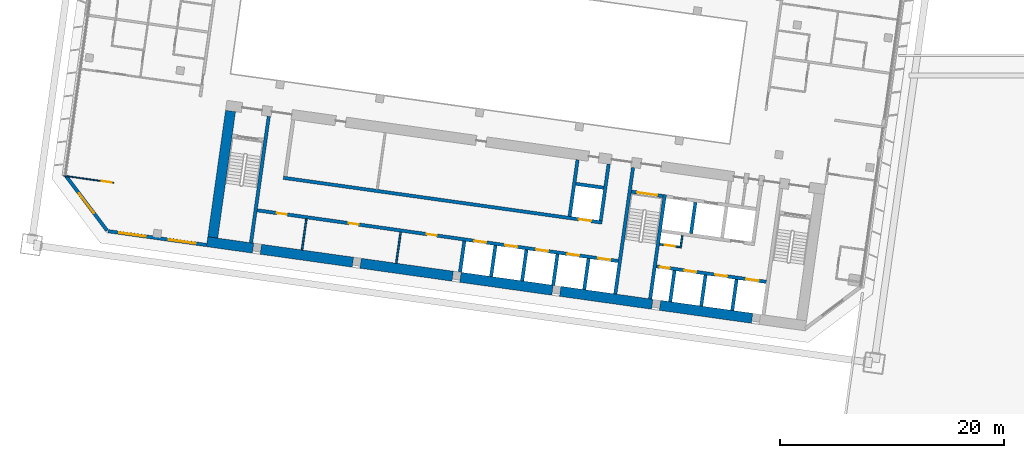
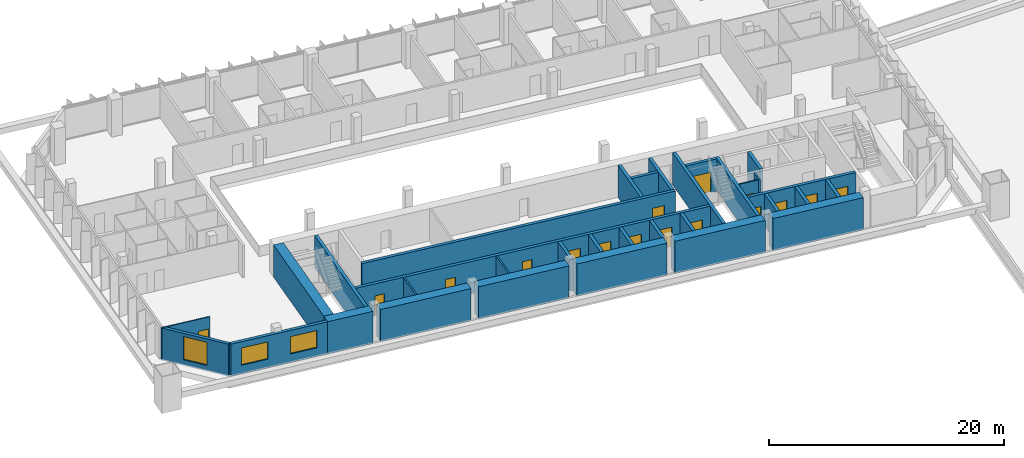
# One storey, part 25 of 46: 33 walls, 16 doors, 3 windows, 19 openings.
"""IFC4 building model written with IfcOpenShell, lengths in metres."""

from ifc_helpers import new_model, si_unit, direction, frame, frame_2d, origin, place, context, subcontext, project, spatial, rectangle, extrude, material, layer, layer_set, type_object, element, fill, save


model = new_model("IFC4")

# Units and contexts
model_context = context("Model", 3, precision=1e-05, world=origin(), true_north=direction((0.0, 1.0)))
body_context = subcontext(model_context, "Body", "Model", "MODEL_VIEW")
ifc_project = project(units=[si_unit("LENGTHUNIT", "METRE"), si_unit("AREAUNIT", "SQUARE_METRE"), si_unit("VOLUMEUNIT", "CUBIC_METRE"), si_unit("PLANEANGLEUNIT", "RADIAN"), si_unit("MASSUNIT", "GRAM", prefix="KILO")], contexts=[model_context])

# Site, building, storey
site_placement = place(None, origin())
site = spatial("IfcSite", under=ifc_project, at=site_placement, CompositionType="ELEMENT")
building_placement = place(site_placement, origin())
building = spatial("IfcBuilding", under=site, at=building_placement, Name="Mirante Cascada Hotel Towers", CompositionType="ELEMENT")
storey_placement = place(building_placement, frame((0.0, 0.0, 39.5)))
storey = spatial("IfcBuildingStorey", under=building, at=storey_placement, Name="L06", CompositionType="ELEMENT", Elevation=39.5)

# Wall
ifc_material_1 = material(Name="Masonry block", Category="masonry")
ifc_layer_1 = layer(ifc_material_1, 0.15)
ifc_layer_set_1 = layer_set([ifc_layer_1], Name="Core room partition 150 block EI 30")
wall_type_1 = type_object("IfcWallType", Name="Core room partition 150 block EI 30", PredefinedType="PARTITIONING", material=ifc_layer_set_1)
wall_1_placement = place(storey_placement, frame((-48.2295, -12.793, 0.0), z_axis=(0.0, 0.0, 1.0), x_axis=(0.1391935, 0.9902652, 0.0)))
element("IfcWall", 1, at=wall_1_placement, inside=storey, type_object=wall_type_1, Name="Core wall partition T1 L06 2", PredefinedType="PARTITIONING", context=body_context, shape_type="SweptSolid", body=[
    extrude(rectangle(XDim=1.1251, YDim=0.15, at=frame_2d((0.5626, 0.0))), origin(), (0.0, 0.0, 1.0), 3.35),
])

# Wall, opening, door
wall_2_placement = place(storey_placement, frame((-48.2933, -12.7083, 0.0), z_axis=(0.0, 0.0, 1.0), x_axis=(-0.990268, 0.1391734, 0.0)))
wall_2 = element("IfcWall", 2, at=wall_2_placement, inside=storey, type_object=wall_type_1, Name="Core wall partition T1 L06 3", PredefinedType="PARTITIONING", context=body_context, shape_type="SweptSolid", body=[
    extrude(rectangle(XDim=1.8251, YDim=0.15, at=frame_2d((0.9126, 0.0))), origin(), (0.0, 0.0, 1.0), 3.35),
])
opening_1_placement = place(wall_2_placement, frame((0.4625, 0.0, 0.0)))
opening_1 = element("IfcOpeningElement", 3, at=opening_1_placement, cuts=wall_2, Name="Opening D1-06-C23", PredefinedType="OPENING", context=body_context, shape_type="SweptSolid", body=[
    extrude(rectangle(XDim=0.9, YDim=2.1, at=frame_2d((0.45, 1.05))), frame((0.0, 0.075, 0.0), z_axis=(0.0, -1.0, 0.0), x_axis=(1.0, 0.0, 0.0)), (0.0, 0.0, 1.0), 0.15),
])
ifc_material_2 = material(Name="Hollow metal fire door leaf")
door_type_1 = type_object("IfcDoorType", Name="Fire door 900x2100 FD60", OperationType="NOTDEFINED", PredefinedType="DOOR", material=ifc_material_2)
door_1_placement = place(opening_1_placement, origin())
door_1 = element("IfcDoor", 4, at=door_1_placement, inside=storey, type_object=door_type_1, Name="Riser door T1 L06 23", OperationType="SINGLE_SWING_LEFT", OverallHeight=2.1, OverallWidth=0.9, PredefinedType="DOOR", context=body_context, shape_type="SweptSolid", body=[
    extrude(rectangle(XDim=0.9, YDim=2.1, at=frame_2d((0.45, 1.05))), frame((0.0, 0.025, 0.0), z_axis=(0.0, -1.0, 0.0), x_axis=(1.0, 0.0, 0.0)), (0.0, 0.0, 1.0), 0.05),
])
fill(opening_1, door_1)

# Walls
wall_3_placement = place(storey_placement, frame((-73.6152, -14.1482, 0.0), z_axis=(0.0, 0.0, 1.0), x_axis=(0.139176, 0.9902677, 0.0)))
element("IfcWall", 5, at=wall_3_placement, inside=storey, type_object=wall_type_1, Name="Core wall partition T1 L06 5", PredefinedType="PARTITIONING", context=body_context, shape_type="SweptSolid", body=[
    extrude(rectangle(XDim=2.8001, YDim=0.15, at=frame_2d((1.4, 0.0))), origin(), (0.0, 0.0, 1.0), 3.35),
])
wall_4_placement = place(storey_placement, frame((-82.0324, -12.9652, 0.0), z_axis=(0.0, 0.0, 1.0), x_axis=(0.139141, 0.9902726, 0.0)))
element("IfcWall", 6, at=wall_4_placement, inside=storey, type_object=wall_type_1, Name="Core wall partition T1 L06 6", PredefinedType="PARTITIONING", context=body_context, shape_type="SweptSolid", body=[
    extrude(rectangle(XDim=2.8, YDim=0.15, at=frame_2d((1.4, 0.0))), origin(), (0.0, 0.0, 1.0), 3.35),
])

# Wall, opening, door
ifc_material_3 = material(Name="Plasterboard on metal studs")
ifc_layer_2 = layer(ifc_material_3, 0.1)
ifc_layer_set_2 = layer_set([ifc_layer_2], Name="Partition 100")
wall_type_2 = type_object("IfcWallType", Name="Partition 100", PredefinedType="PARTITIONING", material=ifc_layer_set_2)
wall_5_placement = place(storey_placement, frame((-98.8611, -6.9647, 0.0), z_axis=(0.0, 0.0, 1.0), x_axis=(-0.9902674, 0.1391779, 0.0)))
wall_5 = element("IfcWall", 7, at=wall_5_placement, inside=storey, type_object=wall_type_2, Name="Wall 1-L06-01", PredefinedType="PARTITIONING", context=body_context, shape_type="SweptSolid", body=[
    extrude(rectangle(XDim=4.5, YDim=0.1, at=frame_2d((2.25, 0.0))), origin(), (0.0, 0.0, 1.0), 3.35),
])
opening_2_placement = place(wall_5_placement, frame((0.15, 0.0, 0.0)))
opening_2 = element("IfcOpeningElement", 8, at=opening_2_placement, cuts=wall_5, Name="Opening D1-L06-01", PredefinedType="OPENING", context=body_context, shape_type="SweptSolid", body=[
    extrude(rectangle(XDim=0.9, YDim=2.1, at=frame_2d((0.45, 1.05))), frame((0.0, 0.05, 0.0), z_axis=(0.0, -1.0, 0.0), x_axis=(1.0, 0.0, 0.0)), (0.0, 0.0, 1.0), 0.1),
])
ifc_material_4 = material(Name="Timber door leaf", Category="wood")
door_type_2 = type_object("IfcDoorType", Name="Room door DG3 900x2100", OperationType="SINGLE_SWING_LEFT", PredefinedType="DOOR", material=ifc_material_4)
door_2_placement = place(opening_2_placement, frame((0.9, 0.0, 0.0), z_axis=(0.0, 0.0, 1.0), x_axis=(-1.0, 0.0, 0.0)))
door_2 = element("IfcDoor", 9, at=door_2_placement, inside=storey, type_object=door_type_2, Name="Door D1-L06-01", OperationType="SINGLE_SWING_RIGHT", OverallHeight=2.1, OverallWidth=0.9, PredefinedType="DOOR", context=body_context, shape_type="SweptSolid", body=[
    extrude(rectangle(XDim=0.9, YDim=2.1, at=frame_2d((0.45, 1.05))), frame((0.0, 0.025, 0.0), z_axis=(0.0, -1.0, 0.0), x_axis=(1.0, 0.0, 0.0)), (0.0, 0.0, 1.0), 0.05),
])
fill(opening_2, door_2)

# Wall, openings, windows
ifc_material_5 = material(Name="Precast concrete C40/50", Category="concrete")
ifc_layer_3 = layer(ifc_material_5, 0.3)
ifc_layer_set_3 = layer_set([ifc_layer_3], Name="Precast concrete C40/50 cladding wall 300")
wall_type_3 = type_object("IfcWallType", Name="Precast concrete C40/50 cladding wall 300", PredefinedType="STANDARD", material=ifc_layer_set_3)
wall_6_placement = place(storey_placement, frame((-90.5541, -12.5249, 0.0), z_axis=(0.0, 0.0, 1.0), x_axis=(-0.9902678, 0.1391749, 0.0)))
wall_6 = element("IfcWall", 10, at=wall_6_placement, inside=storey, type_object=wall_type_3, Name="Rear cladding wall T1 L06 1", PredefinedType="STANDARD", context=body_context, shape_type="SweptSolid", body=[
    extrude(rectangle(XDim=8.8759, YDim=0.3, at=frame_2d((4.438, 0.0))), origin(), (0.0, 0.0, 1.0), 3.35),
])
opening_3_placement = place(wall_6_placement, frame((1.0012, 0.0, 0.9)))
opening_3 = element("IfcOpeningElement", 11, at=opening_3_placement, cuts=wall_6, Name="Opening W1-06-01", PredefinedType="OPENING", context=body_context, shape_type="SweptSolid", body=[
    extrude(rectangle(XDim=2.4, YDim=1.8, at=frame_2d((1.2, 0.9))), frame((0.0, 0.15, 0.0), z_axis=(0.0, -1.0, 0.0), x_axis=(1.0, 0.0, 0.0)), (0.0, 0.0, 1.0), 0.3),
])
opening_4_placement = place(wall_6_placement, frame((5.4923, 0.0, 0.9)))
opening_4 = element("IfcOpeningElement", 12, at=opening_4_placement, cuts=wall_6, Name="Opening W1-06-02", PredefinedType="OPENING", context=body_context, shape_type="SweptSolid", body=[
    extrude(rectangle(XDim=2.4, YDim=1.8, at=frame_2d((1.2, 0.9))), frame((0.0, 0.15, 0.0), z_axis=(0.0, -1.0, 0.0), x_axis=(1.0, 0.0, 0.0)), (0.0, 0.0, 1.0), 0.3),
])
ifc_material_6 = material(Name="Aluminium frame with clear double glazing", Category="aluminium")
window_type_1 = type_object("IfcWindowType", Name="Punched window 2400x1800", PartitioningType="DOUBLE_PANEL_VERTICAL", PredefinedType="WINDOW", material=ifc_material_6)
window_1_placement = place(opening_3_placement, origin())
window_1 = element("IfcWindow", 13, at=window_1_placement, inside=storey, type_object=window_type_1, Name="Window W1-06-01", OverallHeight=1.8, OverallWidth=2.4, PartitioningType="SINGLE_PANEL", PredefinedType="WINDOW", context=body_context, shape_type="SweptSolid", body=[
    extrude(rectangle(XDim=2.4, YDim=1.8, at=frame_2d((1.2, 0.9))), frame((0.0, 0.03, 0.0), z_axis=(0.0, -1.0, 0.0), x_axis=(1.0, 0.0, 0.0)), (0.0, 0.0, 1.0), 0.06),
])
fill(opening_3, window_1)
window_2_placement = place(opening_4_placement, origin())
window_2 = element("IfcWindow", 14, at=window_2_placement, inside=storey, type_object=window_type_1, Name="Window W1-06-02", OverallHeight=1.8, OverallWidth=2.4, PartitioningType="SINGLE_PANEL", PredefinedType="WINDOW", context=body_context, shape_type="SweptSolid", body=[
    extrude(rectangle(XDim=2.4, YDim=1.8, at=frame_2d((1.2, 0.9))), frame((0.0, 0.03, 0.0), z_axis=(0.0, -1.0, 0.0), x_axis=(1.0, 0.0, 0.0)), (0.0, 0.0, 1.0), 0.06),
])
fill(opening_4, window_2)

# Wall, opening, window
wall_7_placement = place(storey_placement, frame((-99.4423, -11.2315, 0.0), z_axis=(0.0, 0.0, 1.0), x_axis=(-0.6018141, 0.7986362, 0.0)))
wall_7 = element("IfcWall", 15, at=wall_7_placement, inside=storey, type_object=wall_type_3, Name="Corner cladding wall T1 L06 rear outer", PredefinedType="STANDARD", context=body_context, shape_type="SweptSolid", body=[
    extrude(rectangle(XDim=6.1157, YDim=0.3, at=frame_2d((3.0578, 0.0))), origin(), (0.0, 0.0, 1.0), 3.35),
])
opening_5_placement = place(wall_7_placement, frame((1.9578, 0.0, 0.6)))
opening_5 = element("IfcOpeningElement", 16, at=opening_5_placement, cuts=wall_7, Name="Opening W1-06-03", PredefinedType="OPENING", context=body_context, shape_type="SweptSolid", body=[
    extrude(rectangle(XDim=2.2, YDim=2.4, at=frame_2d((1.1, 1.2))), frame((0.0, 0.15, 0.0), z_axis=(0.0, -1.0, 0.0), x_axis=(1.0, 0.0, 0.0)), (0.0, 0.0, 1.0), 0.3),
])
ifc_material_7 = material(Name="Aluminium frame with clear double glazing", Category="aluminium")
window_type_2 = type_object("IfcWindowType", Name="Corner suite window 2200x2400", PartitioningType="DOUBLE_PANEL_VERTICAL", PredefinedType="WINDOW", material=ifc_material_7)
window_3_placement = place(opening_5_placement, origin())
window_3 = element("IfcWindow", 17, at=window_3_placement, inside=storey, type_object=window_type_2, Name="Window W1-06-03", OverallHeight=2.4, OverallWidth=2.2, PartitioningType="SINGLE_PANEL", PredefinedType="WINDOW", context=body_context, shape_type="SweptSolid", body=[
    extrude(rectangle(XDim=2.2, YDim=2.4, at=frame_2d((1.1, 1.2))), frame((0.0, 0.03, 0.0), z_axis=(0.0, -1.0, 0.0), x_axis=(1.0, 0.0, 0.0)), (0.0, 0.0, 1.0), 0.06),
])
fill(opening_5, window_3)

# Walls
ifc_material_8 = material(Name="Concrete C50/60", Category="concrete")
ifc_layer_4 = layer(ifc_material_8, 0.3)
ifc_layer_set_4 = layer_set([ifc_layer_4], Name="RC core wall 300 C50/60")
wall_type_4 = type_object("IfcWallType", Name="RC core wall 300 C50/60", PredefinedType="SHEAR", material=ifc_layer_set_4)
wall_8_placement = place(storey_placement, frame((-50.938, -17.3352, 0.0), z_axis=(0.0, 0.0, 1.0), x_axis=(0.1391706, 0.9902684, 0.0)))
element("IfcWall", 18, at=wall_8_placement, inside=storey, type_object=wall_type_4, Name="Core wall T1:L06:6", PredefinedType="SHEAR", context=body_context, shape_type="SweptSolid", body=[
    extrude(rectangle(XDim=9.4, YDim=0.3, at=frame_2d((4.7, 0.0))), origin(), (0.0, 0.0, 1.0), 3.35),
])
wall_9_placement = place(storey_placement, frame((-54.0574, -16.8968, 0.0), z_axis=(0.0, 0.0, 1.0), x_axis=(0.1391761, 0.9902677, 0.0)))
element("IfcWall", 19, at=wall_9_placement, inside=storey, type_object=wall_type_4, Name="Core wall T1:L06:7", PredefinedType="SHEAR", context=body_context, shape_type="SweptSolid", body=[
    extrude(rectangle(XDim=11.3999, YDim=0.3, at=frame_2d((5.7, 0.0))), origin(), (0.0, 0.0, 1.0), 3.35),
])
wall_10_placement = place(storey_placement, frame((-86.5877, -12.325, 0.0), z_axis=(0.0, 0.0, 1.0), x_axis=(0.1391749, 0.9902678, 0.0)))
element("IfcWall", 20, at=wall_10_placement, inside=storey, type_object=wall_type_4, Name="Core wall T1:L06:8", PredefinedType="SHEAR", context=body_context, shape_type="SweptSolid", body=[
    extrude(rectangle(XDim=11.4, YDim=0.3, at=frame_2d((5.7, 0.0))), origin(), (0.0, 0.0, 1.0), 3.35),
])

# Wall, opening, door
wall_11_placement = place(storey_placement, frame((-49.7992, -8.1544, 0.0), z_axis=(0.0, 0.0, 1.0), x_axis=(-0.9902656, 0.1391909, 0.0)))
wall_11 = element("IfcWall", 21, at=wall_11_placement, inside=storey, type_object=wall_type_4, Name="Core wall T1:L06:10", PredefinedType="SHEAR", context=body_context, shape_type="SweptSolid", body=[
    extrude(rectangle(XDim=2.85, YDim=0.3, at=frame_2d((1.425, 0.0))), origin(), (0.0, 0.0, 1.0), 3.35),
])
opening_6_placement = place(wall_11_placement, frame((0.525, 0.0, 0.0)))
opening_6 = element("IfcOpeningElement", 22, at=opening_6_placement, cuts=wall_11, Name="Opening D1-06-C15", PredefinedType="OPENING", context=body_context, shape_type="SweptSolid", body=[
    extrude(rectangle(XDim=1.8, YDim=2.1, at=frame_2d((0.9, 1.05))), frame((0.0, 0.15, 0.0), z_axis=(0.0, -1.0, 0.0), x_axis=(1.0, 0.0, 0.0)), (0.0, 0.0, 1.0), 0.3),
])
ifc_material_9 = material(Name="Hollow metal fire door leaf")
door_type_3 = type_object("IfcDoorType", Name="Double fire door 1800x2100 FD60", OperationType="DOUBLE_DOOR_SINGLE_SWING", PredefinedType="DOOR", material=ifc_material_9)
door_3_placement = place(opening_6_placement, origin())
door_3 = element("IfcDoor", 23, at=door_3_placement, inside=storey, type_object=door_type_3, Name="Stair door T1 L06 15", OperationType="DOUBLE_DOOR_SINGLE_SWING", OverallHeight=2.1, OverallWidth=1.8, PredefinedType="DOOR", context=body_context, shape_type="SweptSolid", body=[
    extrude(rectangle(XDim=0.895, YDim=2.1, at=frame_2d((0.4475, 1.05))), frame((0.0, 0.025, 0.0), z_axis=(0.0, -1.0, 0.0), x_axis=(1.0, 0.0, 0.0)), (0.0, 0.0, 1.0), 0.05),
    extrude(rectangle(XDim=0.895, YDim=2.1, at=frame_2d((1.3525, 1.05))), frame((0.0, 0.025, 0.0), z_axis=(0.0, -1.0, 0.0), x_axis=(1.0, 0.0, 0.0)), (0.0, 0.0, 1.0), 0.05),
])
fill(opening_6, door_3)

# Wall, openings, doors
wall_12_placement = place(storey_placement, frame((-40.5753, -15.8126, 0.0), z_axis=(0.0, 0.0, 1.0), x_axis=(-0.9902682, 0.1391725, 0.0)))
wall_12 = element("IfcWall", 24, at=wall_12_placement, inside=storey, type_object=wall_type_4, Name="Core wall T1:L06:12", PredefinedType="SHEAR", context=body_context, shape_type="SweptSolid", body=[
    extrude(rectangle(XDim=9.8999, YDim=0.3, at=frame_2d((4.95, 0.0))), origin(), (0.0, 0.0, 1.0), 3.35),
])
opening_7_placement = place(wall_12_placement, frame((0.7, 0.0, 0.0)))
opening_7 = element("IfcOpeningElement", 25, at=opening_7_placement, cuts=wall_12, Name="Opening LD", PredefinedType="OPENING", context=body_context, shape_type="SweptSolid", body=[
    extrude(rectangle(XDim=1.1, YDim=2.1, at=frame_2d((0.55, 1.05))), frame((0.0, 0.15, 0.0), z_axis=(0.0, -1.0, 0.0), x_axis=(1.0, 0.0, 0.0)), (0.0, 0.0, 1.0), 0.3),
])
opening_8_placement = place(wall_12_placement, frame((3.5, 0.0, 0.0)))
opening_8 = element("IfcOpeningElement", 26, at=opening_8_placement, cuts=wall_12, Name="Opening LD", PredefinedType="OPENING", context=body_context, shape_type="SweptSolid", body=[
    extrude(rectangle(XDim=1.1, YDim=2.1, at=frame_2d((0.55, 1.05))), frame((0.0, 0.15, 0.0), z_axis=(0.0, -1.0, 0.0), x_axis=(1.0, 0.0, 0.0)), (0.0, 0.0, 1.0), 0.3),
])
opening_9_placement = place(wall_12_placement, frame((6.3, 0.0, 0.0)))
opening_9 = element("IfcOpeningElement", 27, at=opening_9_placement, cuts=wall_12, Name="Opening LD", PredefinedType="OPENING", context=body_context, shape_type="SweptSolid", body=[
    extrude(rectangle(XDim=1.1, YDim=2.1, at=frame_2d((0.55, 1.05))), frame((0.0, 0.15, 0.0), z_axis=(0.0, -1.0, 0.0), x_axis=(1.0, 0.0, 0.0)), (0.0, 0.0, 1.0), 0.3),
])
opening_10_placement = place(wall_12_placement, frame((8.7, 0.0, 0.0)))
opening_10 = element("IfcOpeningElement", 28, at=opening_10_placement, cuts=wall_12, Name="Opening D1-06-C22", PredefinedType="OPENING", context=body_context, shape_type="SweptSolid", body=[
    extrude(rectangle(XDim=0.9, YDim=2.1, at=frame_2d((0.45, 1.05))), frame((0.0, 0.15, 0.0), z_axis=(0.0, -1.0, 0.0), x_axis=(1.0, 0.0, 0.0)), (0.0, 0.0, 1.0), 0.3),
])
door_4_placement = place(opening_10_placement, origin())
door_4 = element("IfcDoor", 29, at=door_4_placement, inside=storey, type_object=door_type_1, Name="Riser door T1 L06 22", OperationType="SINGLE_SWING_LEFT", OverallHeight=2.1, OverallWidth=0.9, PredefinedType="DOOR", context=body_context, shape_type="SweptSolid", body=[
    extrude(rectangle(XDim=0.9, YDim=2.1, at=frame_2d((0.45, 1.05))), frame((0.0, 0.025, 0.0), z_axis=(0.0, -1.0, 0.0), x_axis=(1.0, 0.0, 0.0)), (0.0, 0.0, 1.0), 0.05),
])
fill(opening_10, door_4)
ifc_material_10 = material(Name="Stainless steel", Category="steel")
door_type_4 = type_object("IfcDoorType", Name="Lift landing door 1100x2100 EI 120", OperationType="DOUBLE_DOOR_SLIDING", PredefinedType="DOOR", material=ifc_material_10)
door_5_placement = place(opening_7_placement, origin())
door_5 = element("IfcDoor", 30, at=door_5_placement, inside=storey, type_object=door_type_4, Name="Lift landing door HR1-1 L06", OperationType="DOUBLE_DOOR_SLIDING", OverallHeight=2.1, OverallWidth=1.1, PredefinedType="DOOR", context=body_context, shape_type="SweptSolid", body=[
    extrude(rectangle(XDim=0.545, YDim=2.1, at=frame_2d((0.2725, 1.05))), frame((0.0, 0.025, 0.0), z_axis=(0.0, -1.0, 0.0), x_axis=(1.0, 0.0, 0.0)), (0.0, 0.0, 1.0), 0.05),
    extrude(rectangle(XDim=0.545, YDim=2.1, at=frame_2d((0.8275, 1.05))), frame((0.0, 0.025, 0.0), z_axis=(0.0, -1.0, 0.0), x_axis=(1.0, 0.0, 0.0)), (0.0, 0.0, 1.0), 0.05),
])
fill(opening_7, door_5)
door_6_placement = place(opening_8_placement, origin())
door_6 = element("IfcDoor", 31, at=door_6_placement, inside=storey, type_object=door_type_4, Name="Lift landing door HR1-2 L06", OperationType="DOUBLE_DOOR_SLIDING", OverallHeight=2.1, OverallWidth=1.1, PredefinedType="DOOR", context=body_context, shape_type="SweptSolid", body=[
    extrude(rectangle(XDim=0.545, YDim=2.1, at=frame_2d((0.2725, 1.05))), frame((0.0, 0.025, 0.0), z_axis=(0.0, -1.0, 0.0), x_axis=(1.0, 0.0, 0.0)), (0.0, 0.0, 1.0), 0.05),
    extrude(rectangle(XDim=0.545, YDim=2.1, at=frame_2d((0.8275, 1.05))), frame((0.0, 0.025, 0.0), z_axis=(0.0, -1.0, 0.0), x_axis=(1.0, 0.0, 0.0)), (0.0, 0.0, 1.0), 0.05),
])
fill(opening_8, door_6)
door_7_placement = place(opening_9_placement, origin())
door_7 = element("IfcDoor", 32, at=door_7_placement, inside=storey, type_object=door_type_4, Name="Lift landing door HR1-3 L06", OperationType="DOUBLE_DOOR_SLIDING", OverallHeight=2.1, OverallWidth=1.1, PredefinedType="DOOR", context=body_context, shape_type="SweptSolid", body=[
    extrude(rectangle(XDim=0.545, YDim=2.1, at=frame_2d((0.2725, 1.05))), frame((0.0, 0.025, 0.0), z_axis=(0.0, -1.0, 0.0), x_axis=(1.0, 0.0, 0.0)), (0.0, 0.0, 1.0), 0.05),
    extrude(rectangle(XDim=0.545, YDim=2.1, at=frame_2d((0.8275, 1.05))), frame((0.0, 0.025, 0.0), z_axis=(0.0, -1.0, 0.0), x_axis=(1.0, 0.0, 0.0)), (0.0, 0.0, 1.0), 0.05),
])
fill(opening_9, door_7)

# Walls
wall_13_placement = place(storey_placement, frame((-43.61, -18.3651, 0.0), z_axis=(0.0, 0.0, 1.0), x_axis=(0.1391459, 0.9902719, 0.0)))
element("IfcWall", 33, at=wall_13_placement, inside=storey, type_object=wall_type_4, Name="Core wall T1:L06:15", PredefinedType="SHEAR", context=body_context, shape_type="SweptSolid", body=[
    extrude(rectangle(XDim=2.7999, YDim=0.3, at=frame_2d((1.4, 0.0))), origin(), (0.0, 0.0, 1.0), 3.35),
])
wall_14_placement = place(storey_placement, frame((-46.3828, -17.9754, 0.0), z_axis=(0.0, 0.0, 1.0), x_axis=(0.139181, 0.990267, 0.0)))
element("IfcWall", 34, at=wall_14_placement, inside=storey, type_object=wall_type_4, Name="Core wall T1:L06:16", PredefinedType="SHEAR", context=body_context, shape_type="SweptSolid", body=[
    extrude(rectangle(XDim=2.8, YDim=0.3, at=frame_2d((1.4, 0.0))), origin(), (0.0, 0.0, 1.0), 3.35),
])
wall_15_placement = place(storey_placement, frame((-49.1555, -17.5857, 0.0), z_axis=(0.0, 0.0, 1.0), x_axis=(0.1391459, 0.9902719, 0.0)))
element("IfcWall", 35, at=wall_15_placement, inside=storey, type_object=wall_type_4, Name="Core wall T1:L06:17", PredefinedType="SHEAR", context=body_context, shape_type="SweptSolid", body=[
    extrude(rectangle(XDim=2.7999, YDim=0.3, at=frame_2d((1.4, 0.0))), origin(), (0.0, 0.0, 1.0), 3.35),
])
wall_16_placement = place(storey_placement, frame((-47.2885, -11.4862, 0.0), z_axis=(0.0, 0.0, 1.0), x_axis=(0.139181, 0.990267, 0.0)))
element("IfcWall", 36, at=wall_16_placement, inside=storey, type_object=wall_type_4, Name="Core wall T1:L06:19", PredefinedType="SHEAR", context=body_context, shape_type="SweptSolid", body=[
    extrude(rectangle(XDim=2.8, YDim=0.3, at=frame_2d((1.4, 0.0))), origin(), (0.0, 0.0, 1.0), 3.35),
])

# Wall, openings, doors
wall_17_placement = place(storey_placement, frame((-53.7953, -13.9547, 0.0), z_axis=(0.0, 0.0, 1.0), x_axis=(-0.990268, 0.1391733, 0.0)))
wall_17 = element("IfcWall", 37, at=wall_17_placement, inside=storey, type_object=wall_type_4, Name="Core wall T1:L06:25", PredefinedType="SHEAR", context=body_context, shape_type="SweptSolid", body=[
    extrude(rectangle(XDim=32.5501, YDim=0.3, at=frame_2d((16.275, 0.0))), origin(), (0.0, 0.0, 1.0), 3.35),
])
opening_11_placement = place(wall_17_placement, frame((0.7, 0.0, 0.0)))
opening_11 = element("IfcOpeningElement", 38, at=opening_11_placement, cuts=wall_17, Name="Opening LD", PredefinedType="OPENING", context=body_context, shape_type="SweptSolid", body=[
    extrude(rectangle(XDim=1.1, YDim=2.1, at=frame_2d((0.55, 1.05))), frame((0.0, 0.15, 0.0), z_axis=(0.0, -1.0, 0.0), x_axis=(1.0, 0.0, 0.0)), (0.0, 0.0, 1.0), 0.3),
])
opening_12_placement = place(wall_17_placement, frame((3.5, 0.0, 0.0)))
opening_12 = element("IfcOpeningElement", 39, at=opening_12_placement, cuts=wall_17, Name="Opening LD", PredefinedType="OPENING", context=body_context, shape_type="SweptSolid", body=[
    extrude(rectangle(XDim=1.1, YDim=2.1, at=frame_2d((0.55, 1.05))), frame((0.0, 0.15, 0.0), z_axis=(0.0, -1.0, 0.0), x_axis=(1.0, 0.0, 0.0)), (0.0, 0.0, 1.0), 0.3),
])
opening_13_placement = place(wall_17_placement, frame((6.3, 0.0, 0.0)))
opening_13 = element("IfcOpeningElement", 40, at=opening_13_placement, cuts=wall_17, Name="Opening LD", PredefinedType="OPENING", context=body_context, shape_type="SweptSolid", body=[
    extrude(rectangle(XDim=1.1, YDim=2.1, at=frame_2d((0.55, 1.05))), frame((0.0, 0.15, 0.0), z_axis=(0.0, -1.0, 0.0), x_axis=(1.0, 0.0, 0.0)), (0.0, 0.0, 1.0), 0.3),
])
opening_14_placement = place(wall_17_placement, frame((9.1, 0.0, 0.0)))
opening_14 = element("IfcOpeningElement", 41, at=opening_14_placement, cuts=wall_17, Name="Opening LD", PredefinedType="OPENING", context=body_context, shape_type="SweptSolid", body=[
    extrude(rectangle(XDim=1.1, YDim=2.1, at=frame_2d((0.55, 1.05))), frame((0.0, 0.15, 0.0), z_axis=(0.0, -1.0, 0.0), x_axis=(1.0, 0.0, 0.0)), (0.0, 0.0, 1.0), 0.3),
])
opening_15_placement = place(wall_17_placement, frame((11.9, 0.0, 0.0)))
opening_15 = element("IfcOpeningElement", 42, at=opening_15_placement, cuts=wall_17, Name="Opening LD", PredefinedType="OPENING", context=body_context, shape_type="SweptSolid", body=[
    extrude(rectangle(XDim=1.1, YDim=2.1, at=frame_2d((0.55, 1.05))), frame((0.0, 0.15, 0.0), z_axis=(0.0, -1.0, 0.0), x_axis=(1.0, 0.0, 0.0)), (0.0, 0.0, 1.0), 0.3),
])
opening_16_placement = place(wall_17_placement, frame((16.35, 0.0, 0.0)))
opening_16 = element("IfcOpeningElement", 43, at=opening_16_placement, cuts=wall_17, Name="Opening D1-06-C26", PredefinedType="OPENING", context=body_context, shape_type="SweptSolid", body=[
    extrude(rectangle(XDim=0.9, YDim=2.1, at=frame_2d((0.45, 1.05))), frame((0.0, 0.15, 0.0), z_axis=(0.0, -1.0, 0.0), x_axis=(1.0, 0.0, 0.0)), (0.0, 0.0, 1.0), 0.3),
])
opening_17_placement = place(wall_17_placement, frame((23.4, 0.0, 0.0)))
opening_17 = element("IfcOpeningElement", 44, at=opening_17_placement, cuts=wall_17, Name="Opening D1-06-C27", PredefinedType="OPENING", context=body_context, shape_type="SweptSolid", body=[
    extrude(rectangle(XDim=0.9, YDim=2.1, at=frame_2d((0.45, 1.05))), frame((0.0, 0.15, 0.0), z_axis=(0.0, -1.0, 0.0), x_axis=(1.0, 0.0, 0.0)), (0.0, 0.0, 1.0), 0.3),
])
opening_18_placement = place(wall_17_placement, frame((29.875, 0.0, 0.0)))
opening_18 = element("IfcOpeningElement", 45, at=opening_18_placement, cuts=wall_17, Name="Opening D1-06-C28", PredefinedType="OPENING", context=body_context, shape_type="SweptSolid", body=[
    extrude(rectangle(XDim=0.9, YDim=2.1, at=frame_2d((0.45, 1.05))), frame((0.0, 0.15, 0.0), z_axis=(0.0, -1.0, 0.0), x_axis=(1.0, 0.0, 0.0)), (0.0, 0.0, 1.0), 0.3),
])
door_8_placement = place(opening_16_placement, origin())
door_8 = element("IfcDoor", 46, at=door_8_placement, inside=storey, type_object=door_type_1, Name="Room door T1 L06 26", OperationType="SINGLE_SWING_RIGHT", OverallHeight=2.1, OverallWidth=0.9, PredefinedType="DOOR", context=body_context, shape_type="SweptSolid", body=[
    extrude(rectangle(XDim=0.9, YDim=2.1, at=frame_2d((0.45, 1.05))), frame((0.0, 0.025, 0.0), z_axis=(0.0, -1.0, 0.0), x_axis=(1.0, 0.0, 0.0)), (0.0, 0.0, 1.0), 0.05),
])
fill(opening_16, door_8)
door_9_placement = place(opening_17_placement, origin())
door_9 = element("IfcDoor", 47, at=door_9_placement, inside=storey, type_object=door_type_1, Name="Room door T1 L06 27", OperationType="SINGLE_SWING_LEFT", OverallHeight=2.1, OverallWidth=0.9, PredefinedType="DOOR", context=body_context, shape_type="SweptSolid", body=[
    extrude(rectangle(XDim=0.9, YDim=2.1, at=frame_2d((0.45, 1.05))), frame((0.0, 0.025, 0.0), z_axis=(0.0, -1.0, 0.0), x_axis=(1.0, 0.0, 0.0)), (0.0, 0.0, 1.0), 0.05),
])
fill(opening_17, door_9)
door_10_placement = place(opening_18_placement, origin())
door_10 = element("IfcDoor", 48, at=door_10_placement, inside=storey, type_object=door_type_1, Name="Room door T1 L06 28", OperationType="SINGLE_SWING_LEFT", OverallHeight=2.1, OverallWidth=0.9, PredefinedType="DOOR", context=body_context, shape_type="SweptSolid", body=[
    extrude(rectangle(XDim=0.9, YDim=2.1, at=frame_2d((0.45, 1.05))), frame((0.0, 0.025, 0.0), z_axis=(0.0, -1.0, 0.0), x_axis=(1.0, 0.0, 0.0)), (0.0, 0.0, 1.0), 0.05),
])
fill(opening_18, door_10)
door_11_placement = place(opening_11_placement, origin())
door_11 = element("IfcDoor", 49, at=door_11_placement, inside=storey, type_object=door_type_4, Name="Lift landing door LR1-1 L06", OperationType="DOUBLE_DOOR_SLIDING", OverallHeight=2.1, OverallWidth=1.1, PredefinedType="DOOR", context=body_context, shape_type="SweptSolid", body=[
    extrude(rectangle(XDim=0.545, YDim=2.1, at=frame_2d((0.2725, 1.05))), frame((0.0, 0.025, 0.0), z_axis=(0.0, -1.0, 0.0), x_axis=(1.0, 0.0, 0.0)), (0.0, 0.0, 1.0), 0.05),
    extrude(rectangle(XDim=0.545, YDim=2.1, at=frame_2d((0.8275, 1.05))), frame((0.0, 0.025, 0.0), z_axis=(0.0, -1.0, 0.0), x_axis=(1.0, 0.0, 0.0)), (0.0, 0.0, 1.0), 0.05),
])
fill(opening_11, door_11)
door_12_placement = place(opening_12_placement, origin())
door_12 = element("IfcDoor", 50, at=door_12_placement, inside=storey, type_object=door_type_4, Name="Lift landing door LR1-2 L06", OperationType="DOUBLE_DOOR_SLIDING", OverallHeight=2.1, OverallWidth=1.1, PredefinedType="DOOR", context=body_context, shape_type="SweptSolid", body=[
    extrude(rectangle(XDim=0.545, YDim=2.1, at=frame_2d((0.2725, 1.05))), frame((0.0, 0.025, 0.0), z_axis=(0.0, -1.0, 0.0), x_axis=(1.0, 0.0, 0.0)), (0.0, 0.0, 1.0), 0.05),
    extrude(rectangle(XDim=0.545, YDim=2.1, at=frame_2d((0.8275, 1.05))), frame((0.0, 0.025, 0.0), z_axis=(0.0, -1.0, 0.0), x_axis=(1.0, 0.0, 0.0)), (0.0, 0.0, 1.0), 0.05),
])
fill(opening_12, door_12)
door_13_placement = place(opening_13_placement, origin())
door_13 = element("IfcDoor", 51, at=door_13_placement, inside=storey, type_object=door_type_4, Name="Lift landing door SV1-1 L06", OperationType="DOUBLE_DOOR_SLIDING", OverallHeight=2.1, OverallWidth=1.1, PredefinedType="DOOR", context=body_context, shape_type="SweptSolid", body=[
    extrude(rectangle(XDim=0.545, YDim=2.1, at=frame_2d((0.2725, 1.05))), frame((0.0, 0.025, 0.0), z_axis=(0.0, -1.0, 0.0), x_axis=(1.0, 0.0, 0.0)), (0.0, 0.0, 1.0), 0.05),
    extrude(rectangle(XDim=0.545, YDim=2.1, at=frame_2d((0.8275, 1.05))), frame((0.0, 0.025, 0.0), z_axis=(0.0, -1.0, 0.0), x_axis=(1.0, 0.0, 0.0)), (0.0, 0.0, 1.0), 0.05),
])
fill(opening_13, door_13)
door_14_placement = place(opening_14_placement, origin())
door_14 = element("IfcDoor", 52, at=door_14_placement, inside=storey, type_object=door_type_4, Name="Lift landing door SV1-2 L06", OperationType="DOUBLE_DOOR_SLIDING", OverallHeight=2.1, OverallWidth=1.1, PredefinedType="DOOR", context=body_context, shape_type="SweptSolid", body=[
    extrude(rectangle(XDim=0.545, YDim=2.1, at=frame_2d((0.2725, 1.05))), frame((0.0, 0.025, 0.0), z_axis=(0.0, -1.0, 0.0), x_axis=(1.0, 0.0, 0.0)), (0.0, 0.0, 1.0), 0.05),
    extrude(rectangle(XDim=0.545, YDim=2.1, at=frame_2d((0.8275, 1.05))), frame((0.0, 0.025, 0.0), z_axis=(0.0, -1.0, 0.0), x_axis=(1.0, 0.0, 0.0)), (0.0, 0.0, 1.0), 0.05),
])
fill(opening_14, door_14)
door_15_placement = place(opening_15_placement, origin())
door_15 = element("IfcDoor", 53, at=door_15_placement, inside=storey, type_object=door_type_4, Name="Lift landing door SV1-3 L06", OperationType="DOUBLE_DOOR_SLIDING", OverallHeight=2.1, OverallWidth=1.1, PredefinedType="DOOR", context=body_context, shape_type="SweptSolid", body=[
    extrude(rectangle(XDim=0.545, YDim=2.1, at=frame_2d((0.2725, 1.05))), frame((0.0, 0.025, 0.0), z_axis=(0.0, -1.0, 0.0), x_axis=(1.0, 0.0, 0.0)), (0.0, 0.0, 1.0), 0.05),
    extrude(rectangle(XDim=0.545, YDim=2.1, at=frame_2d((0.8275, 1.05))), frame((0.0, 0.025, 0.0), z_axis=(0.0, -1.0, 0.0), x_axis=(1.0, 0.0, 0.0)), (0.0, 0.0, 1.0), 0.05),
])
fill(opening_15, door_15)

# Walls
for number, where, z_axis, x_axis, name in (
    (54, (-56.8301, -16.5072, 0.0), (0.0, 0.0, 1.0), (0.139176, 0.9902677, 0.0), "Core wall T1:L06:26"),
    (55, (-59.6029, -16.1175, 0.0), (0.0, 0.0, 1.0), (0.139176, 0.9902677, 0.0), "Core wall T1:L06:27"),
    (56, (-62.3756, -15.7278, 0.0), (0.0, 0.0, 1.0), (0.139176, 0.9902677, 0.0), "Core wall T1:L06:28"),
    (57, (-65.1484, -15.3381, 0.0), (0.0, 0.0, 1.0), (0.139176, 0.9902677, 0.0), "Core wall T1:L06:29"),
):
    element("IfcWall", number, at=place(storey_placement, frame(where, z_axis=z_axis, x_axis=x_axis)), inside=storey, type_object=wall_type_4, Name=name, PredefinedType="SHEAR", context=body_context, shape_type="SweptSolid", body=[
        extrude(rectangle(XDim=2.8001, YDim=0.3, at=frame_2d((1.4, 0.0))), origin(), (0.0, 0.0, 1.0), 3.35),
    ])
wall_18_placement = place(storey_placement, frame((-67.9211, -14.9484, 0.0), z_axis=(0.0, 0.0, 1.0), x_axis=(0.139181, 0.990267, 0.0)))
element("IfcWall", 58, at=wall_18_placement, inside=storey, type_object=wall_type_4, Name="Core wall T1:L06:30", PredefinedType="SHEAR", context=body_context, shape_type="SweptSolid", body=[
    extrude(rectangle(XDim=2.8, YDim=0.3, at=frame_2d((1.4, 0.0))), origin(), (0.0, 0.0, 1.0), 3.35),
])

# Wall, opening, door
wall_19_placement = place(storey_placement, frame((-55.2315, -10.5214, 0.0), z_axis=(0.0, 0.0, 1.0), x_axis=(-0.9902682, 0.1391722, 0.0)))
wall_19 = element("IfcWall", 59, at=wall_19_placement, inside=storey, type_object=wall_type_4, Name="Core wall T1:L06:33", PredefinedType="SHEAR", context=body_context, shape_type="SweptSolid", body=[
    extrude(rectangle(XDim=28.75, YDim=0.3, at=frame_2d((14.375, 0.0))), origin(), (0.0, 0.0, 1.0), 3.35),
])
opening_19_placement = place(wall_19_placement, frame((1.0, 0.0, 0.0)))
opening_19 = element("IfcOpeningElement", 60, at=opening_19_placement, cuts=wall_19, Name="Opening LD", PredefinedType="OPENING", context=body_context, shape_type="SweptSolid", body=[
    extrude(rectangle(XDim=1.1, YDim=2.1, at=frame_2d((0.55, 1.05))), frame((0.0, 0.15, 0.0), z_axis=(0.0, -1.0, 0.0), x_axis=(1.0, 0.0, 0.0)), (0.0, 0.0, 1.0), 0.3),
])
door_16_placement = place(opening_19_placement, origin())
door_16 = element("IfcDoor", 61, at=door_16_placement, inside=storey, type_object=door_type_4, Name="Lift landing door LR1-3 L06", OperationType="DOUBLE_DOOR_SLIDING", OverallHeight=2.1, OverallWidth=1.1, PredefinedType="DOOR", context=body_context, shape_type="SweptSolid", body=[
    extrude(rectangle(XDim=0.545, YDim=2.1, at=frame_2d((0.2725, 1.05))), frame((0.0, 0.025, 0.0), z_axis=(0.0, -1.0, 0.0), x_axis=(1.0, 0.0, 0.0)), (0.0, 0.0, 1.0), 0.05),
    extrude(rectangle(XDim=0.545, YDim=2.1, at=frame_2d((0.8275, 1.05))), frame((0.0, 0.025, 0.0), z_axis=(0.0, -1.0, 0.0), x_axis=(1.0, 0.0, 0.0)), (0.0, 0.0, 1.0), 0.05),
])
fill(opening_19, door_16)

# Walls
for number, where, z_axis, x_axis, name in (
    (62, (-55.3592, -10.352, 0.0), (0.0, 0.0, 1.0), (0.1391755, 0.9902677, 0.0), "Core wall T1:L06:34"),
    (63, (-58.1319, -9.9623, 0.0), (0.0, 0.0, 1.0), (0.1391755, 0.9902677, 0.0), "Core wall T1:L06:36"),
):
    element("IfcWall", number, at=place(storey_placement, frame(where, z_axis=z_axis, x_axis=x_axis)), inside=storey, type_object=wall_type_4, Name=name, PredefinedType="SHEAR", context=body_context, shape_type="SweptSolid", body=[
        extrude(rectangle(XDim=5.1, YDim=0.3, at=frame_2d((2.55, 0.0))), origin(), (0.0, 0.0, 1.0), 3.35),
    ])
wall_20_placement = place(storey_placement, frame((-55.0971, -7.4098, 0.0), z_axis=(0.0, 0.0, 1.0), x_axis=(-0.9902701, 0.1391586, 0.0)))
element("IfcWall", 64, at=wall_20_placement, inside=storey, type_object=wall_type_4, Name="Core wall T1:L06:37", PredefinedType="SHEAR", context=body_context, shape_type="SweptSolid", body=[
    extrude(rectangle(XDim=2.5, YDim=0.3, at=frame_2d((1.25, 0.0))), origin(), (0.0, 0.0, 1.0), 3.35),
])
ifc_material_11 = material(Name="Concrete C50/60", Category="concrete")
ifc_layer_5 = layer(ifc_material_11, 0.9)
ifc_layer_set_5 = layer_set([ifc_layer_5], Name="RC core wall 900 C50/60")
wall_type_5 = type_object("IfcWallType", Name="RC core wall 900 C50/60", PredefinedType="SHEAR", material=ifc_layer_set_5)
for number, where, z_axis, x_axis, name in (
    (65, (-41.8407, -19.0682, 0.0), (0.0, 0.0, 1.0), (-0.9902686, 0.1391692, 0.0), "Core wall T1:L06:1.2"),
    (66, (-50.7531, -17.8156, 0.0), (0.0, 0.0, 1.0), (-0.9902686, 0.1391692, 0.0), "Core wall T1:L06:1.3"),
    (67, (-59.6655, -16.5631, 0.0), (0.0, 0.0, 1.0), (-0.9902686, 0.1391692, 0.0), "Core wall T1:L06:1.4"),
    (68, (-68.5779, -15.3105, 0.0), (0.0, 0.0, 1.0), (-0.9902686, 0.1391692, 0.0), "Core wall T1:L06:1.5"),
    (69, (-77.4903, -14.058, 0.0), (0.0, 0.0, 1.0), (-0.990267, 0.139181, 0.0), "Core wall T1:L06:1.6"),
):
    element("IfcWall", number, at=place(storey_placement, frame(where, z_axis=z_axis, x_axis=x_axis)), inside=storey, type_object=wall_type_5, Name=name, PredefinedType="SHEAR", context=body_context, shape_type="SweptSolid", body=[
        extrude(rectangle(XDim=8.3, YDim=0.9, at=frame_2d((4.15, 0.0))), origin(), (0.0, 0.0, 1.0), 3.35),
    ])
wall_21_placement = place(storey_placement, frame((-86.4027, -12.8054, 0.0), z_axis=(0.0, 0.0, 1.0), x_axis=(-0.990267, 0.139181, 0.0)))
element("IfcWall", 70, at=wall_21_placement, inside=storey, type_object=wall_type_5, Name="Core wall T1:L06:1.7", PredefinedType="SHEAR", context=body_context, shape_type="SweptSolid", body=[
    extrude(rectangle(XDim=4.15, YDim=0.9, at=frame_2d((2.075, 0.0))), origin(), (0.0, 0.0, 1.0), 3.35),
])
wall_22_placement = place(storey_placement, frame((-90.0041, -11.8449, 0.0), z_axis=(0.0, 0.0, 1.0), x_axis=(0.1391749, 0.9902678, 0.0)))
element("IfcWall", 71, at=wall_22_placement, inside=storey, type_object=wall_type_5, Name="Core wall T1:L06:4", PredefinedType="SHEAR", context=body_context, shape_type="SweptSolid", body=[
    extrude(rectangle(XDim=11.4, YDim=0.9, at=frame_2d((5.7, 0.0))), origin(), (0.0, 0.0, 1.0), 3.35),
])

save(model, "model.ifc")
